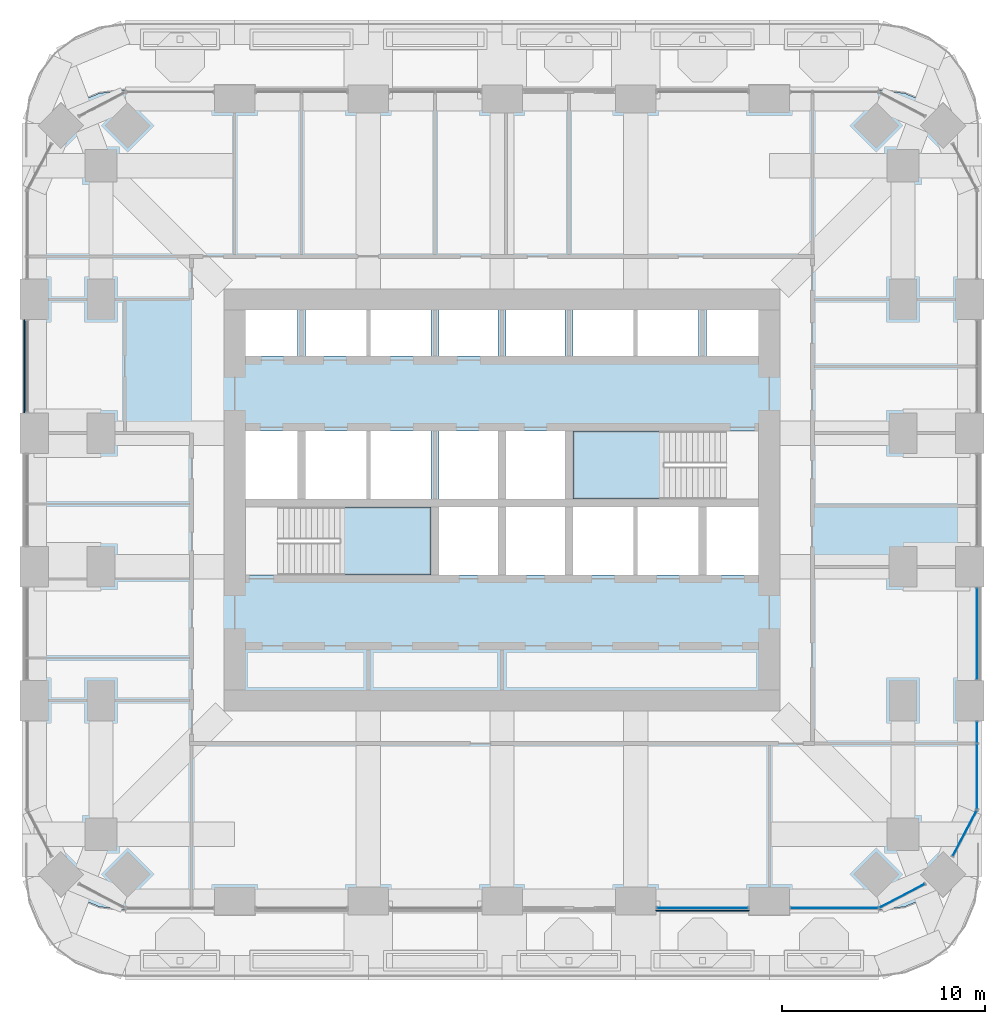
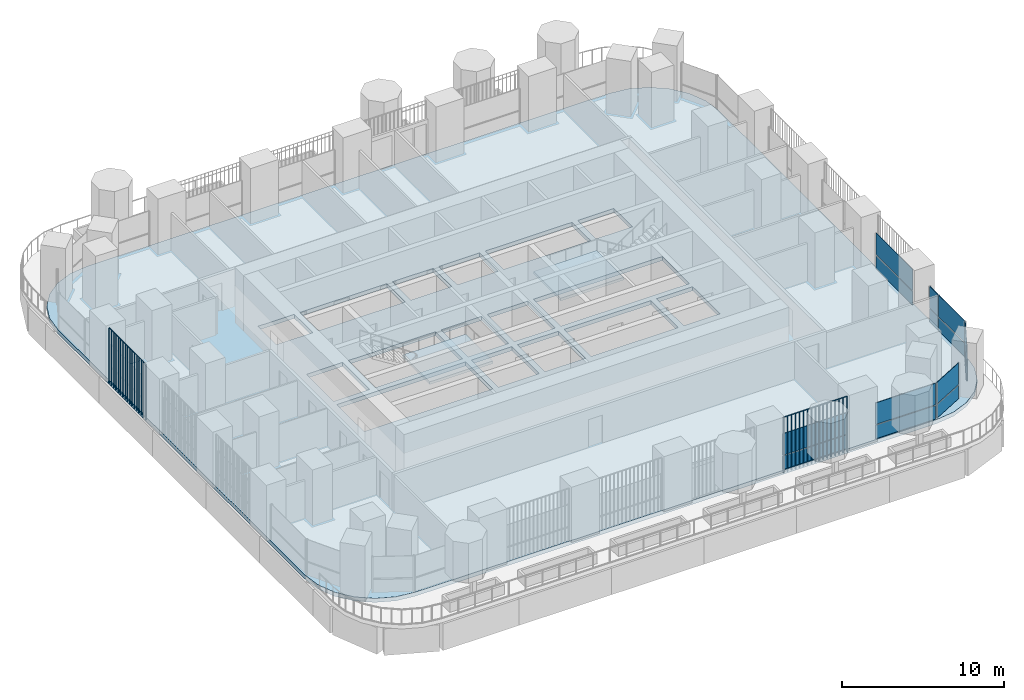
# One storey, part 10 of 22: 16 plates, 3 slabs, 8 elements without a shape of their own.
"""IFC4 building model written with IfcOpenShell, lengths in metres."""

from ifc_helpers import new_model, si_unit, direction, frame, origin, origin_2d, place, context, subcontext, project, spatial, polyline, rectangle, outline, extrude, material, layer, layer_set, type_object, element, aggregate, save


model = new_model("IFC4")

# Units and contexts
model_context = context("Model", 3, precision=1e-05, world=origin(), true_north=direction((0.0, 1.0)))
body_context = subcontext(model_context, "Body", "Model", "MODEL_VIEW")
ifc_project = project(units=[si_unit("LENGTHUNIT", "METRE"), si_unit("AREAUNIT", "SQUARE_METRE"), si_unit("VOLUMEUNIT", "CUBIC_METRE"), si_unit("PLANEANGLEUNIT", "RADIAN"), si_unit("MASSUNIT", "GRAM", prefix="KILO")], contexts=[model_context])

# Site, building, storey
site_placement = place(None, origin())
site = spatial("IfcSite", under=ifc_project, at=site_placement, CompositionType="ELEMENT")
building_placement = place(site_placement, origin())
building = spatial("IfcBuilding", under=site, at=building_placement, Name="Cobogo Forest Laboratory Tower", CompositionType="ELEMENT")
storey_placement = place(building_placement, frame((0.0, 0.0, 155.699951171875)))
storey = spatial("IfcBuildingStorey", under=building, at=storey_placement, Name="L35", CompositionType="ELEMENT", Elevation=155.699951171875)

# Slab
ifc_material_1 = material(Name="Concrete HA-40 (C40/50)", Category="concrete")
ifc_layer_1 = layer(ifc_material_1, 0.300048828125)
ifc_layer_set_1 = layer_set([ifc_layer_1], Name="Floor slab 300")
slab_type_1 = type_object("IfcSlabType", Name="Floor slab 300", PredefinedType="FLOOR", material=ifc_layer_set_1)
slab_1_placement = place(storey_placement, frame((0.0, 0.0, -0.300048828125)))
element("IfcSlab", 1, at=slab_1_placement, inside=storey, type_object=slab_type_1, Name="L35 floor slab", PredefinedType="FLOOR", context=body_context, shape_type="SweptSolid", body=[
    extrude(outline(polyline([(45.0, 2.85009765625), (46.28125, 3.0185546875), (47.47509765625, 3.51318359375), (48.500244140625, 4.2998046875), (49.286865234375, 5.324951171875), (49.78125, 6.518798828125), (49.949951171875, 7.800048828125), (49.949951171875, 38.39990234375), (49.78125, 39.68115234375), (49.286865234375, 40.875), (48.500244140625, 41.900146484375), (47.47509765625, 42.686767578125), (46.28125, 43.181396484375), (45.0, 43.35009765625), (7.800048828125, 43.35009765625), (6.518798828125, 43.181396484375), (5.324951171875, 42.686767578125), (4.2998046875, 41.900146484375), (3.51318359375, 40.875), (3.0185546875, 39.68115234375), (2.85009765625, 38.39990234375), (2.85009765625, 7.800048828125), (3.0185546875, 6.518798828125), (3.51318359375, 5.324951171875), (4.2998046875, 4.2998046875), (5.324951171875, 3.51318359375), (6.518798828125, 3.0185546875), (7.800048828125, 2.85009765625), (45.0, 2.85009765625)]), holes=[polyline([(22.89990234375, 19.39990234375), (13.72509765625, 19.39990234375), (13.72509765625, 22.75), (22.89990234375, 22.75), (22.89990234375, 19.39990234375)]), polyline([(26.199951171875, 19.39990234375), (23.300048828125, 19.39990234375), (23.300048828125, 22.75), (26.199951171875, 22.75), (26.199951171875, 19.39990234375)]), polyline([(29.5, 19.39990234375), (26.60009765625, 19.39990234375), (26.60009765625, 22.75), (29.5, 22.75), (29.5, 19.39990234375)]), polyline([(36.10009765625, 22.75), (36.10009765625, 19.39990234375), (29.89990234375, 19.39990234375), (29.89990234375, 22.75), (36.10009765625, 22.75)]), polyline([(36.5, 19.39990234375), (36.5, 22.75), (39.074951171875, 22.75), (39.074951171875, 19.39990234375), (36.5, 19.39990234375)]), polyline([(16.300048828125, 23.14990234375), (13.72509765625, 23.14990234375), (13.72509765625, 26.5), (16.300048828125, 26.5), (16.300048828125, 23.14990234375)]), polyline([(22.89990234375, 26.5), (22.89990234375, 23.14990234375), (16.699951171875, 23.14990234375), (16.699951171875, 26.5), (22.89990234375, 26.5)]), polyline([(26.199951171875, 23.14990234375), (23.300048828125, 23.14990234375), (23.300048828125, 26.5), (26.199951171875, 26.5), (26.199951171875, 23.14990234375)]), polyline([(26.60009765625, 23.14990234375), (26.60009765625, 26.5), (29.5, 26.5), (29.5, 23.14990234375), (26.60009765625, 23.14990234375)]), polyline([(39.074951171875, 23.14990234375), (29.89990234375, 23.14990234375), (29.89990234375, 26.5), (39.074951171875, 26.5), (39.074951171875, 23.14990234375)]), polyline([(16.300048828125, 30.199951171875), (13.72509765625, 30.199951171875), (13.72509765625, 32.47509765625), (16.300048828125, 32.47509765625), (16.300048828125, 30.199951171875)]), polyline([(22.89990234375, 32.47509765625), (22.89990234375, 30.199951171875), (16.699951171875, 30.199951171875), (16.699951171875, 32.47509765625), (22.89990234375, 32.47509765625)]), polyline([(23.300048828125, 30.199951171875), (23.300048828125, 32.47509765625), (26.199951171875, 32.47509765625), (26.199951171875, 30.199951171875), (23.300048828125, 30.199951171875)]), polyline([(29.5, 30.199951171875), (26.60009765625, 30.199951171875), (26.60009765625, 32.47509765625), (29.5, 32.47509765625), (29.5, 30.199951171875)]), polyline([(36.10009765625, 32.47509765625), (36.10009765625, 30.199951171875), (29.89990234375, 30.199951171875), (29.89990234375, 32.47509765625), (36.10009765625, 32.47509765625)]), polyline([(36.5, 30.199951171875), (36.5, 32.47509765625), (39.074951171875, 32.47509765625), (39.074951171875, 30.199951171875), (36.5, 30.199951171875)])]), origin(), (0.0, 0.0, 1.0), 0.300048828125),
])

# Curtain wall, plates
ifc_material_2 = material(Name="Aluminium curtain wall", Category="aluminium")
curtain_wall_type = type_object("IfcCurtainWallType", Name="CW-2 unitised curtain wall, solar control glazing, laboratory floors zones C and D", PredefinedType="USERDEFINED", material=ifc_material_2)
curtain_wall_1_placement = place(storey_placement, origin())
curtain_wall_1 = element("IfcCurtainWall", 2, at=curtain_wall_1_placement, inside=storey, type_object=curtain_wall_type, Name="Curtain wall 05 L35", ObjectType="UNITISED CURTAIN WALL", PredefinedType="USERDEFINED")
ifc_material_3 = material(Name="Solar control insulated glass", Category="glass")
ifc_layer_2 = layer(ifc_material_3, 0.031982421875)
ifc_layer_set_2 = layer_set([ifc_layer_2], Name="GP-2 solar control glass unit 32")
plate_type_1 = type_object("IfcPlateType", Name="GP-2 solar control glass unit 32", PredefinedType="CURTAIN_PANEL", material=ifc_layer_set_2)
plate_1_placement = place(storey_placement, frame((36.300048828125, 2.949951171875, 0.0), z_axis=(0.0, 0.0, 1.0), x_axis=(1.0, 0.0, 0.0)))
plate_1 = element("IfcPlate", 3, at=plate_1_placement, type_object=plate_type_1, Name="CW-2 panel 1.1", PredefinedType="CURTAIN_PANEL", context=body_context, shape_type="SweptSolid", body=[
    extrude(rectangle(XDim=4.47998046875, YDim=0.031982421875, at=origin_2d()), origin(), (0.0, 0.0, 1.0), 1.02001953125),
])
plate_2_placement = place(storey_placement, frame((36.300048828125, 2.949951171875, 1.080078125), z_axis=(0.0, 0.0, 1.0), x_axis=(1.0, 0.0, 0.0)))
plate_2 = element("IfcPlate", 4, at=plate_2_placement, type_object=plate_type_1, Name="CW-2 panel 1.2", PredefinedType="CURTAIN_PANEL", context=body_context, shape_type="SweptSolid", body=[
    extrude(rectangle(XDim=4.47998046875, YDim=0.031982421875, at=origin_2d()), origin(), (0.0, 0.0, 1.0), 1.6201171875),
])
aggregate(curtain_wall_1, [plate_1, plate_2])

curtain_wall_2_placement = place(storey_placement, origin())
curtain_wall_2 = element("IfcCurtainWall", 5, at=curtain_wall_2_placement, inside=storey, type_object=curtain_wall_type, Name="Curtain wall 06 L35", ObjectType="UNITISED CURTAIN WALL", PredefinedType="USERDEFINED")
plate_3_placement = place(storey_placement, frame((42.800048828125, 2.949951171875, 0.0), z_axis=(0.0, 0.0, 1.0), x_axis=(1.0, 0.0, 0.0)))
plate_3 = element("IfcPlate", 6, at=plate_3_placement, type_object=plate_type_1, Name="CW-2 panel 1.1", PredefinedType="CURTAIN_PANEL", context=body_context, shape_type="SweptSolid", body=[
    extrude(rectangle(XDim=4.280029296875, YDim=0.031982421875, at=origin_2d()), origin(), (0.0, 0.0, 1.0), 1.02001953125),
])
plate_4_placement = place(storey_placement, frame((42.800048828125, 2.949951171875, 1.080078125), z_axis=(0.0, 0.0, 1.0), x_axis=(1.0, 0.0, 0.0)))
plate_4 = element("IfcPlate", 7, at=plate_4_placement, type_object=plate_type_1, Name="CW-2 panel 1.2", PredefinedType="CURTAIN_PANEL", context=body_context, shape_type="SweptSolid", body=[
    extrude(rectangle(XDim=4.280029296875, YDim=0.031982421875, at=origin_2d()), origin(), (0.0, 0.0, 1.0), 1.6201171875),
])
aggregate(curtain_wall_2, [plate_3, plate_4])

curtain_wall_3_placement = place(storey_placement, origin())
curtain_wall_3 = element("IfcCurtainWall", 8, at=curtain_wall_3_placement, inside=storey, type_object=curtain_wall_type, Name="Curtain wall 07 L35", ObjectType="UNITISED CURTAIN WALL", PredefinedType="USERDEFINED")
plate_5_placement = place(storey_placement, frame((46.15966796875, 3.557861328125, 0.0), z_axis=(0.0, 0.0, 1.0), x_axis=(0.885686527085, 0.464283723321, 0.0)))
plate_5 = element("IfcPlate", 9, at=plate_5_placement, type_object=plate_type_1, Name="CW-2 panel 1.1", PredefinedType="CURTAIN_PANEL", context=body_context, shape_type="SweptSolid", body=[
    extrude(rectangle(XDim=2.49853515625, YDim=0.031982421875, at=origin_2d()), origin(), (0.0, 0.0, 1.0), 1.02001953125),
])
plate_6_placement = place(storey_placement, frame((46.15966796875, 3.557861328125, 1.080078125), z_axis=(0.0, 0.0, 1.0), x_axis=(0.885686527085, 0.464283723321, 0.0)))
plate_6 = element("IfcPlate", 10, at=plate_6_placement, type_object=plate_type_1, Name="CW-2 panel 1.2", PredefinedType="CURTAIN_PANEL", context=body_context, shape_type="SweptSolid", body=[
    extrude(rectangle(XDim=2.49853515625, YDim=0.031982421875, at=origin_2d()), origin(), (0.0, 0.0, 1.0), 1.6201171875),
])
aggregate(curtain_wall_3, [plate_5, plate_6])

curtain_wall_4_placement = place(storey_placement, origin())
curtain_wall_4 = element("IfcCurtainWall", 11, at=curtain_wall_4_placement, inside=storey, type_object=curtain_wall_type, Name="Curtain wall 08 L35", ObjectType="UNITISED CURTAIN WALL", PredefinedType="USERDEFINED")
plate_7_placement = place(storey_placement, frame((49.2421875, 6.640380859375, 0.0), z_axis=(0.0, 0.0, 1.0), x_axis=(0.464283723321, 0.885686527085, 0.0)))
plate_7 = element("IfcPlate", 12, at=plate_7_placement, type_object=plate_type_1, Name="CW-2 panel 1.1", PredefinedType="CURTAIN_PANEL", context=body_context, shape_type="SweptSolid", body=[
    extrude(rectangle(XDim=2.49853515625, YDim=0.031982421875, at=origin_2d()), origin(), (0.0, 0.0, 1.0), 1.02001953125),
])
plate_8_placement = place(storey_placement, frame((49.2421875, 6.640380859375, 1.080078125), z_axis=(0.0, 0.0, 1.0), x_axis=(0.464283723321, 0.885686527085, 0.0)))
plate_8 = element("IfcPlate", 13, at=plate_8_placement, type_object=plate_type_1, Name="CW-2 panel 1.2", PredefinedType="CURTAIN_PANEL", context=body_context, shape_type="SweptSolid", body=[
    extrude(rectangle(XDim=2.49853515625, YDim=0.031982421875, at=origin_2d()), origin(), (0.0, 0.0, 1.0), 1.6201171875),
])
aggregate(curtain_wall_4, [plate_7, plate_8])

curtain_wall_5_placement = place(storey_placement, origin())
curtain_wall_5 = element("IfcCurtainWall", 14, at=curtain_wall_5_placement, inside=storey, type_object=curtain_wall_type, Name="Curtain wall 09 L35", ObjectType="UNITISED CURTAIN WALL", PredefinedType="USERDEFINED")
plate_9_placement = place(storey_placement, frame((49.85009765625, 9.452392578125, 0.0), z_axis=(0.0, 0.0, 1.0), x_axis=(0.0, 1.0, 0.0)))
plate_9 = element("IfcPlate", 15, at=plate_9_placement, type_object=plate_type_1, Name="CW-2 panel 1.1", PredefinedType="CURTAIN_PANEL", context=body_context, shape_type="SweptSolid", body=[
    extrude(rectangle(XDim=3.18505859375, YDim=0.031982421875, at=origin_2d()), origin(), (0.0, 0.0, 1.0), 1.02001953125),
])
plate_10_placement = place(storey_placement, frame((49.85009765625, 9.452392578125, 1.080078125), z_axis=(0.0, 0.0, 1.0), x_axis=(0.0, 1.0, 0.0)))
plate_10 = element("IfcPlate", 16, at=plate_10_placement, type_object=plate_type_1, Name="CW-2 panel 1.2", PredefinedType="CURTAIN_PANEL", context=body_context, shape_type="SweptSolid", body=[
    extrude(rectangle(XDim=3.18505859375, YDim=0.031982421875, at=origin_2d()), origin(), (0.0, 0.0, 1.0), 1.6201171875),
])
plate_11_placement = place(storey_placement, frame((49.85009765625, 11.62255859375, 0.0), z_axis=(0.0, 0.0, 1.0), x_axis=(0.0, 1.0, 0.0)))
plate_11 = element("IfcPlate", 17, at=plate_11_placement, type_object=plate_type_1, Name="CW-2 panel 2.1", PredefinedType="CURTAIN_PANEL", context=body_context, shape_type="SweptSolid", body=[
    extrude(rectangle(XDim=1.034912109375, YDim=0.031982421875, at=origin_2d()), origin(), (0.0, 0.0, 1.0), 1.02001953125),
])
plate_12_placement = place(storey_placement, frame((49.85009765625, 11.62255859375, 1.080078125), z_axis=(0.0, 0.0, 1.0), x_axis=(0.0, 1.0, 0.0)))
plate_12 = element("IfcPlate", 18, at=plate_12_placement, type_object=plate_type_1, Name="CW-2 panel 2.2", PredefinedType="CURTAIN_PANEL", context=body_context, shape_type="SweptSolid", body=[
    extrude(rectangle(XDim=1.034912109375, YDim=0.031982421875, at=origin_2d()), origin(), (0.0, 0.0, 1.0), 1.6201171875),
])
aggregate(curtain_wall_5, [plate_9, plate_10, plate_11, plate_12])

curtain_wall_6_placement = place(storey_placement, origin())
curtain_wall_6 = element("IfcCurtainWall", 19, at=curtain_wall_6_placement, inside=storey, type_object=curtain_wall_type, Name="Curtain wall 10 L35", ObjectType="UNITISED CURTAIN WALL", PredefinedType="USERDEFINED")
plate_13_placement = place(storey_placement, frame((49.85009765625, 16.5, 0.0), z_axis=(0.0, 0.0, 1.0), x_axis=(0.0, 1.0, 0.0)))
plate_13 = element("IfcPlate", 20, at=plate_13_placement, type_object=plate_type_1, Name="CW-2 panel 1.1", PredefinedType="CURTAIN_PANEL", context=body_context, shape_type="SweptSolid", body=[
    extrude(rectangle(XDim=4.47998046875, YDim=0.031982421875, at=origin_2d()), origin(), (0.0, 0.0, 1.0), 1.02001953125),
])
plate_14_placement = place(storey_placement, frame((49.85009765625, 16.5, 1.080078125), z_axis=(0.0, 0.0, 1.0), x_axis=(0.0, 1.0, 0.0)))
plate_14 = element("IfcPlate", 21, at=plate_14_placement, type_object=plate_type_1, Name="CW-2 panel 1.2", PredefinedType="CURTAIN_PANEL", context=body_context, shape_type="SweptSolid", body=[
    extrude(rectangle(XDim=4.47998046875, YDim=0.031982421875, at=origin_2d()), origin(), (0.0, 0.0, 1.0), 1.6201171875),
])
aggregate(curtain_wall_6, [plate_13, plate_14])

# Stair, slab
ifc_material_4 = material(Name="Precast concrete HA-40 (C40/50)", Category="concrete")
stair_type = type_object("IfcStairType", Name="ST24 exit stair 24 risers", PredefinedType="HALF_TURN_STAIR", material=ifc_material_4)
stair_1_placement = place(storey_placement, origin())
stair_1 = element("IfcStair", 22, at=stair_1_placement, inside=storey, type_object=stair_type, Name="Stair 1 L35 to L36", PredefinedType="HALF_TURN_STAIR")
ifc_layer_3 = layer(ifc_material_1, 0.199951171875)
ifc_layer_set_3 = layer_set([ifc_layer_3], Name="SL stair landing 200")
slab_type_2 = type_object("IfcSlabType", Name="SL stair landing 200", PredefinedType="LANDING", material=ifc_layer_set_3)
slab_2_placement = place(storey_placement, frame((0.0, 0.0, 1.900146484375)))
slab_2 = element("IfcSlab", 23, at=slab_2_placement, type_object=slab_type_2, Name="ST1 landing 2", PredefinedType="LANDING", context=body_context, shape_type="SweptSolid", body=[
    extrude(outline(polyline([(18.403076171875, 19.39990234375), (22.89990234375, 19.39990234375), (22.89990234375, 22.75), (18.403076171875, 22.75), (18.403076171875, 19.39990234375)])), origin(), (0.0, 0.0, 1.0), 0.199951171875),
])
aggregate(stair_1, [slab_2])

stair_2_placement = place(storey_placement, origin())
stair_2 = element("IfcStair", 24, at=stair_2_placement, inside=storey, type_object=stair_type, Name="Stair 2 L35 to L36", PredefinedType="HALF_TURN_STAIR")
slab_3_placement = place(storey_placement, frame((0.0, 0.0, 1.900146484375)))
slab_3 = element("IfcSlab", 25, at=slab_3_placement, type_object=slab_type_2, Name="ST2 landing 2", PredefinedType="LANDING", context=body_context, shape_type="SweptSolid", body=[
    extrude(outline(polyline([(29.89990234375, 23.14990234375), (34.39697265625, 23.14990234375), (34.39697265625, 26.5), (29.89990234375, 26.5), (29.89990234375, 23.14990234375)])), origin(), (0.0, 0.0, 1.0), 0.199951171875),
])
aggregate(stair_2, [slab_3])

# Plates
ifc_material_5 = material(Name="Terracotta", Category="masonry")
plate_type_2 = type_object("IfcPlateType", Name="TB1 terracotta baguette screen", PredefinedType="USERDEFINED", material=ifc_material_5)
plate_15_placement = place(storey_placement, frame((34.03125, 2.822021484375, -0.14990234375)))
element("IfcPlate", 26, at=plate_15_placement, inside=storey, type_object=plate_type_2, Name="Baguette screen S4 L35", ObjectType="BAGUETTE SCREEN", PredefinedType="USERDEFINED", context=body_context, shape_type="SweptSolid", body=[
    extrude(outline(polyline([(0.02880859375, 0.011962890625), (0.011962890625, 0.02880859375), (-0.011962890625, 0.02880859375), (-0.02880859375, 0.011962890625), (-0.02880859375, -0.011962890625), (-0.011962890625, -0.02880859375), (0.011962890625, -0.02880859375), (0.02880859375, -0.011962890625), (0.02880859375, 0.011962890625)])), frame((0.0, 0.0, 4.168701171875), z_axis=(1.0, 0.0, 0.0), x_axis=(0.0, 1.0, 0.0)), (0.0, 0.0, 1.0), 4.53759765625),
    extrude(outline(polyline([(0.02880859375, 0.011962890625), (0.011962890625, 0.02880859375), (-0.011962890625, 0.02880859375), (-0.02880859375, 0.011962890625), (-0.02880859375, -0.011962890625), (-0.011962890625, -0.02880859375), (0.011962890625, -0.02880859375), (0.02880859375, -0.011962890625), (0.02880859375, 0.011962890625)])), origin(), (0.0, 0.0, 1.0), 4.137451171875),
    extrude(outline(polyline([(0.02880859375, 0.011962890625), (0.011962890625, 0.02880859375), (-0.011962890625, 0.02880859375), (-0.02880859375, 0.011962890625), (-0.02880859375, -0.011962890625), (-0.011962890625, -0.02880859375), (0.011962890625, -0.02880859375), (0.02880859375, -0.011962890625), (0.02880859375, 0.011962890625)])), frame((0.28369140625, 0.0, 0.0)), (0.0, 0.0, 1.0), 4.137451171875),
    extrude(outline(polyline([(0.02880859375, 0.011962890625), (0.011962890625, 0.02880859375), (-0.011962890625, 0.02880859375), (-0.02880859375, 0.011962890625), (-0.02880859375, -0.011962890625), (-0.011962890625, -0.02880859375), (0.011962890625, -0.02880859375), (0.02880859375, -0.011962890625), (0.02880859375, 0.011962890625)])), frame((0.567138671875, 0.0, 0.0)), (0.0, 0.0, 1.0), 4.137451171875),
    extrude(outline(polyline([(0.02880859375, 0.011962890625), (0.011962890625, 0.02880859375), (-0.011962890625, 0.02880859375), (-0.02880859375, 0.011962890625), (-0.02880859375, -0.011962890625), (-0.011962890625, -0.02880859375), (0.011962890625, -0.02880859375), (0.02880859375, -0.011962890625), (0.02880859375, 0.011962890625)])), frame((0.850830078125, 0.0, 0.0)), (0.0, 0.0, 1.0), 4.137451171875),
    extrude(outline(polyline([(0.02880859375, 0.011962890625), (0.011962890625, 0.02880859375), (-0.011962890625, 0.02880859375), (-0.02880859375, 0.011962890625), (-0.02880859375, -0.011962890625), (-0.011962890625, -0.02880859375), (0.011962890625, -0.02880859375), (0.02880859375, -0.011962890625), (0.02880859375, 0.011962890625)])), frame((1.13427734375, 0.0, 0.0)), (0.0, 0.0, 1.0), 4.137451171875),
    extrude(outline(polyline([(0.02880859375, 0.011962890625), (0.011962890625, 0.02880859375), (-0.011962890625, 0.02880859375), (-0.02880859375, 0.011962890625), (-0.02880859375, -0.011962890625), (-0.011962890625, -0.02880859375), (0.011962890625, -0.02880859375), (0.02880859375, -0.011962890625), (0.02880859375, 0.011962890625)])), frame((1.41796875, 0.0, 0.0)), (0.0, 0.0, 1.0), 4.137451171875),
    extrude(outline(polyline([(0.02880859375, 0.011962890625), (0.011962890625, 0.02880859375), (-0.011962890625, 0.02880859375), (-0.02880859375, 0.011962890625), (-0.02880859375, -0.011962890625), (-0.011962890625, -0.02880859375), (0.011962890625, -0.02880859375), (0.02880859375, -0.011962890625), (0.02880859375, 0.011962890625)])), frame((1.70166015625, 0.0, 0.0)), (0.0, 0.0, 1.0), 4.137451171875),
    extrude(outline(polyline([(0.02880859375, 0.011962890625), (0.011962890625, 0.02880859375), (-0.011962890625, 0.02880859375), (-0.02880859375, 0.011962890625), (-0.02880859375, -0.011962890625), (-0.011962890625, -0.02880859375), (0.011962890625, -0.02880859375), (0.02880859375, -0.011962890625), (0.02880859375, 0.011962890625)])), frame((1.985107421875, 0.0, 0.0)), (0.0, 0.0, 1.0), 4.137451171875),
    extrude(outline(polyline([(0.02880859375, 0.011962890625), (0.011962890625, 0.02880859375), (-0.011962890625, 0.02880859375), (-0.02880859375, 0.011962890625), (-0.02880859375, -0.011962890625), (-0.011962890625, -0.02880859375), (0.011962890625, -0.02880859375), (0.02880859375, -0.011962890625), (0.02880859375, 0.011962890625)])), frame((2.268798828125, 0.0, 0.0)), (0.0, 0.0, 1.0), 4.137451171875),
    extrude(outline(polyline([(0.02880859375, 0.011962890625), (0.011962890625, 0.02880859375), (-0.011962890625, 0.02880859375), (-0.02880859375, 0.011962890625), (-0.02880859375, -0.011962890625), (-0.011962890625, -0.02880859375), (0.011962890625, -0.02880859375), (0.02880859375, -0.011962890625), (0.02880859375, 0.011962890625)])), frame((2.552490234375, 0.0, 0.0)), (0.0, 0.0, 1.0), 4.137451171875),
    extrude(outline(polyline([(0.02880859375, 0.011962890625), (0.011962890625, 0.02880859375), (-0.011962890625, 0.02880859375), (-0.02880859375, 0.011962890625), (-0.02880859375, -0.011962890625), (-0.011962890625, -0.02880859375), (0.011962890625, -0.02880859375), (0.02880859375, -0.011962890625), (0.02880859375, 0.011962890625)])), frame((2.8359375, 0.0, 0.0)), (0.0, 0.0, 1.0), 4.137451171875),
    extrude(outline(polyline([(0.02880859375, 0.011962890625), (0.011962890625, 0.02880859375), (-0.011962890625, 0.02880859375), (-0.02880859375, 0.011962890625), (-0.02880859375, -0.011962890625), (-0.011962890625, -0.02880859375), (0.011962890625, -0.02880859375), (0.02880859375, -0.011962890625), (0.02880859375, 0.011962890625)])), frame((3.11962890625, 0.0, 0.0)), (0.0, 0.0, 1.0), 4.137451171875),
    extrude(outline(polyline([(0.02880859375, 0.011962890625), (0.011962890625, 0.02880859375), (-0.011962890625, 0.02880859375), (-0.02880859375, 0.011962890625), (-0.02880859375, -0.011962890625), (-0.011962890625, -0.02880859375), (0.011962890625, -0.02880859375), (0.02880859375, -0.011962890625), (0.02880859375, 0.011962890625)])), frame((3.4033203125, 0.0, 0.0)), (0.0, 0.0, 1.0), 4.137451171875),
    extrude(outline(polyline([(0.02880859375, 0.011962890625), (0.011962890625, 0.02880859375), (-0.011962890625, 0.02880859375), (-0.02880859375, 0.011962890625), (-0.02880859375, -0.011962890625), (-0.011962890625, -0.02880859375), (0.011962890625, -0.02880859375), (0.02880859375, -0.011962890625), (0.02880859375, 0.011962890625)])), frame((3.686767578125, 0.0, 0.0)), (0.0, 0.0, 1.0), 4.137451171875),
    extrude(outline(polyline([(0.02880859375, 0.011962890625), (0.011962890625, 0.02880859375), (-0.011962890625, 0.02880859375), (-0.02880859375, 0.011962890625), (-0.02880859375, -0.011962890625), (-0.011962890625, -0.02880859375), (0.011962890625, -0.02880859375), (0.02880859375, -0.011962890625), (0.02880859375, 0.011962890625)])), frame((3.970458984375, 0.0, 0.0)), (0.0, 0.0, 1.0), 4.137451171875),
    extrude(outline(polyline([(0.02880859375, 0.011962890625), (0.011962890625, 0.02880859375), (-0.011962890625, 0.02880859375), (-0.02880859375, 0.011962890625), (-0.02880859375, -0.011962890625), (-0.011962890625, -0.02880859375), (0.011962890625, -0.02880859375), (0.02880859375, -0.011962890625), (0.02880859375, 0.011962890625)])), frame((4.25390625, 0.0, 0.0)), (0.0, 0.0, 1.0), 4.137451171875),
    extrude(outline(polyline([(0.02880859375, 0.011962890625), (0.011962890625, 0.02880859375), (-0.011962890625, 0.02880859375), (-0.02880859375, 0.011962890625), (-0.02880859375, -0.011962890625), (-0.011962890625, -0.02880859375), (0.011962890625, -0.02880859375), (0.02880859375, -0.011962890625), (0.02880859375, 0.011962890625)])), frame((4.53759765625, 0.0, 0.0)), (0.0, 0.0, 1.0), 4.137451171875),
])
plate_16_placement = place(storey_placement, frame((2.822021484375, 27.43115234375, -0.14990234375)))
element("IfcPlate", 27, at=plate_16_placement, inside=storey, type_object=plate_type_2, Name="Baguette screen W3 L35", ObjectType="BAGUETTE SCREEN", PredefinedType="USERDEFINED", context=body_context, shape_type="SweptSolid", body=[
    extrude(outline(polyline([(0.02880859375, 0.011962890625), (0.011962890625, 0.02880859375), (-0.011962890625, 0.02880859375), (-0.02880859375, 0.011962890625), (-0.02880859375, -0.011962890625), (-0.011962890625, -0.02880859375), (0.011962890625, -0.02880859375), (0.02880859375, -0.011962890625), (0.02880859375, 0.011962890625)])), frame((0.0, 0.0, 4.168701171875), z_axis=(0.0, 1.0, 0.0), x_axis=(-1.0, 0.0, 0.0)), (0.0, 0.0, 1.0), 4.53759765625),
    extrude(outline(polyline([(0.02880859375, 0.011962890625), (0.011962890625, 0.02880859375), (-0.011962890625, 0.02880859375), (-0.02880859375, 0.011962890625), (-0.02880859375, -0.011962890625), (-0.011962890625, -0.02880859375), (0.011962890625, -0.02880859375), (0.02880859375, -0.011962890625), (0.02880859375, 0.011962890625)])), origin(), (0.0, 0.0, 1.0), 4.137451171875),
    extrude(outline(polyline([(0.02880859375, 0.011962890625), (0.011962890625, 0.02880859375), (-0.011962890625, 0.02880859375), (-0.02880859375, 0.011962890625), (-0.02880859375, -0.011962890625), (-0.011962890625, -0.02880859375), (0.011962890625, -0.02880859375), (0.02880859375, -0.011962890625), (0.02880859375, 0.011962890625)])), frame((0.0, 0.28369140625, 0.0)), (0.0, 0.0, 1.0), 4.137451171875),
    extrude(outline(polyline([(0.02880859375, 0.011962890625), (0.011962890625, 0.02880859375), (-0.011962890625, 0.02880859375), (-0.02880859375, 0.011962890625), (-0.02880859375, -0.011962890625), (-0.011962890625, -0.02880859375), (0.011962890625, -0.02880859375), (0.02880859375, -0.011962890625), (0.02880859375, 0.011962890625)])), frame((0.0, 0.567138671875, 0.0)), (0.0, 0.0, 1.0), 4.137451171875),
    extrude(outline(polyline([(0.02880859375, 0.011962890625), (0.011962890625, 0.02880859375), (-0.011962890625, 0.02880859375), (-0.02880859375, 0.011962890625), (-0.02880859375, -0.011962890625), (-0.011962890625, -0.02880859375), (0.011962890625, -0.02880859375), (0.02880859375, -0.011962890625), (0.02880859375, 0.011962890625)])), frame((0.0, 0.850830078125, 0.0)), (0.0, 0.0, 1.0), 4.137451171875),
    extrude(outline(polyline([(0.02880859375, 0.011962890625), (0.011962890625, 0.02880859375), (-0.011962890625, 0.02880859375), (-0.02880859375, 0.011962890625), (-0.02880859375, -0.011962890625), (-0.011962890625, -0.02880859375), (0.011962890625, -0.02880859375), (0.02880859375, -0.011962890625), (0.02880859375, 0.011962890625)])), frame((0.0, 1.13427734375, 0.0)), (0.0, 0.0, 1.0), 4.137451171875),
    extrude(outline(polyline([(0.02880859375, 0.011962890625), (0.011962890625, 0.02880859375), (-0.011962890625, 0.02880859375), (-0.02880859375, 0.011962890625), (-0.02880859375, -0.011962890625), (-0.011962890625, -0.02880859375), (0.011962890625, -0.02880859375), (0.02880859375, -0.011962890625), (0.02880859375, 0.011962890625)])), frame((0.0, 1.41796875, 0.0)), (0.0, 0.0, 1.0), 4.137451171875),
    extrude(outline(polyline([(0.02880859375, 0.011962890625), (0.011962890625, 0.02880859375), (-0.011962890625, 0.02880859375), (-0.02880859375, 0.011962890625), (-0.02880859375, -0.011962890625), (-0.011962890625, -0.02880859375), (0.011962890625, -0.02880859375), (0.02880859375, -0.011962890625), (0.02880859375, 0.011962890625)])), frame((0.0, 1.70166015625, 0.0)), (0.0, 0.0, 1.0), 4.137451171875),
    extrude(outline(polyline([(0.02880859375, 0.011962890625), (0.011962890625, 0.02880859375), (-0.011962890625, 0.02880859375), (-0.02880859375, 0.011962890625), (-0.02880859375, -0.011962890625), (-0.011962890625, -0.02880859375), (0.011962890625, -0.02880859375), (0.02880859375, -0.011962890625), (0.02880859375, 0.011962890625)])), frame((0.0, 1.985107421875, 0.0)), (0.0, 0.0, 1.0), 4.137451171875),
    extrude(outline(polyline([(0.02880859375, 0.011962890625), (0.011962890625, 0.02880859375), (-0.011962890625, 0.02880859375), (-0.02880859375, 0.011962890625), (-0.02880859375, -0.011962890625), (-0.011962890625, -0.02880859375), (0.011962890625, -0.02880859375), (0.02880859375, -0.011962890625), (0.02880859375, 0.011962890625)])), frame((0.0, 2.268798828125, 0.0)), (0.0, 0.0, 1.0), 4.137451171875),
    extrude(outline(polyline([(0.02880859375, 0.011962890625), (0.011962890625, 0.02880859375), (-0.011962890625, 0.02880859375), (-0.02880859375, 0.011962890625), (-0.02880859375, -0.011962890625), (-0.011962890625, -0.02880859375), (0.011962890625, -0.02880859375), (0.02880859375, -0.011962890625), (0.02880859375, 0.011962890625)])), frame((0.0, 2.552490234375, 0.0)), (0.0, 0.0, 1.0), 4.137451171875),
    extrude(outline(polyline([(0.02880859375, 0.011962890625), (0.011962890625, 0.02880859375), (-0.011962890625, 0.02880859375), (-0.02880859375, 0.011962890625), (-0.02880859375, -0.011962890625), (-0.011962890625, -0.02880859375), (0.011962890625, -0.02880859375), (0.02880859375, -0.011962890625), (0.02880859375, 0.011962890625)])), frame((0.0, 2.8359375, 0.0)), (0.0, 0.0, 1.0), 4.137451171875),
    extrude(outline(polyline([(0.02880859375, 0.011962890625), (0.011962890625, 0.02880859375), (-0.011962890625, 0.02880859375), (-0.02880859375, 0.011962890625), (-0.02880859375, -0.011962890625), (-0.011962890625, -0.02880859375), (0.011962890625, -0.02880859375), (0.02880859375, -0.011962890625), (0.02880859375, 0.011962890625)])), frame((0.0, 3.11962890625, 0.0)), (0.0, 0.0, 1.0), 4.137451171875),
    extrude(outline(polyline([(0.02880859375, 0.011962890625), (0.011962890625, 0.02880859375), (-0.011962890625, 0.02880859375), (-0.02880859375, 0.011962890625), (-0.02880859375, -0.011962890625), (-0.011962890625, -0.02880859375), (0.011962890625, -0.02880859375), (0.02880859375, -0.011962890625), (0.02880859375, 0.011962890625)])), frame((0.0, 3.4033203125, 0.0)), (0.0, 0.0, 1.0), 4.137451171875),
    extrude(outline(polyline([(0.02880859375, 0.011962890625), (0.011962890625, 0.02880859375), (-0.011962890625, 0.02880859375), (-0.02880859375, 0.011962890625), (-0.02880859375, -0.011962890625), (-0.011962890625, -0.02880859375), (0.011962890625, -0.02880859375), (0.02880859375, -0.011962890625), (0.02880859375, 0.011962890625)])), frame((0.0, 3.686767578125, 0.0)), (0.0, 0.0, 1.0), 4.137451171875),
    extrude(outline(polyline([(0.02880859375, 0.011962890625), (0.011962890625, 0.02880859375), (-0.011962890625, 0.02880859375), (-0.02880859375, 0.011962890625), (-0.02880859375, -0.011962890625), (-0.011962890625, -0.02880859375), (0.011962890625, -0.02880859375), (0.02880859375, -0.011962890625), (0.02880859375, 0.011962890625)])), frame((0.0, 3.970458984375, 0.0)), (0.0, 0.0, 1.0), 4.137451171875),
    extrude(outline(polyline([(0.02880859375, 0.011962890625), (0.011962890625, 0.02880859375), (-0.011962890625, 0.02880859375), (-0.02880859375, 0.011962890625), (-0.02880859375, -0.011962890625), (-0.011962890625, -0.02880859375), (0.011962890625, -0.02880859375), (0.02880859375, -0.011962890625), (0.02880859375, 0.011962890625)])), frame((0.0, 4.25390625, 0.0)), (0.0, 0.0, 1.0), 4.137451171875),
    extrude(outline(polyline([(0.02880859375, 0.011962890625), (0.011962890625, 0.02880859375), (-0.011962890625, 0.02880859375), (-0.02880859375, 0.011962890625), (-0.02880859375, -0.011962890625), (-0.011962890625, -0.02880859375), (0.011962890625, -0.02880859375), (0.02880859375, -0.011962890625), (0.02880859375, 0.011962890625)])), frame((0.0, 4.53759765625, 0.0)), (0.0, 0.0, 1.0), 4.137451171875),
])

save(model, "model.ifc")
